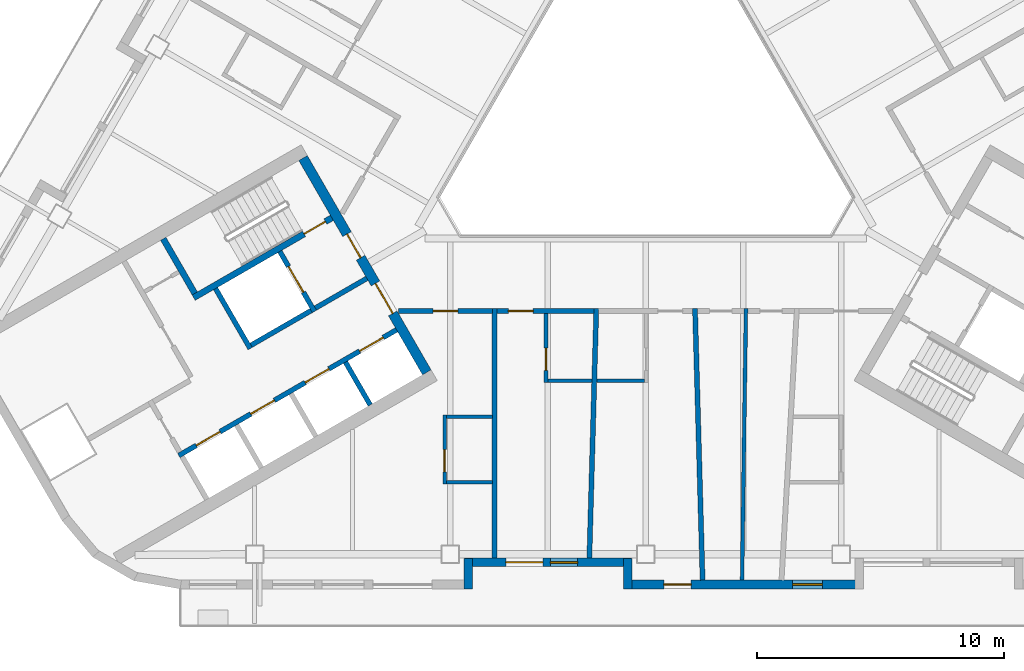
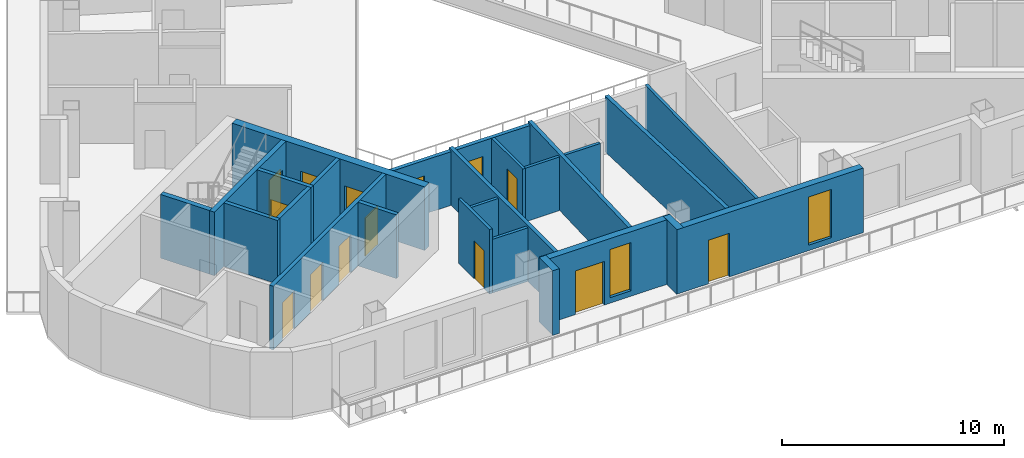
# One storey, part 3 of 14: 25 walls, 14 doors, 2 windows, 16 openings.
"""IFC4 building model written with IfcOpenShell, lengths in metres."""

from ifc_helpers import new_model, si_unit, direction, frame, frame_2d, origin, place, context, subcontext, project, spatial, rectangle, extrude, material, layer, layer_set, type_object, element, fill, save


model = new_model("IFC4")

# Units and contexts
model_context = context("Model", 3, precision=1e-05, world=origin(), true_north=direction((0.0, 1.0)))
body_context = subcontext(model_context, "Body", "Model", "MODEL_VIEW")
ifc_project = project(units=[si_unit("LENGTHUNIT", "METRE"), si_unit("AREAUNIT", "SQUARE_METRE"), si_unit("VOLUMEUNIT", "CUBIC_METRE"), si_unit("PLANEANGLEUNIT", "RADIAN"), si_unit("MASSUNIT", "GRAM", prefix="KILO")], contexts=[model_context])

# Site, building, storey
site_placement = place(None, origin())
site = spatial("IfcSite", under=ifc_project, at=site_placement, CompositionType="ELEMENT")
building_placement = place(site_placement, origin())
building = spatial("IfcBuilding", under=site, at=building_placement, Name="Apuvela Tower Hotel", CompositionType="ELEMENT")
storey_placement = place(building_placement, frame((0.0, 0.0, 220.60009765625)))
storey = spatial("IfcBuildingStorey", under=building, at=storey_placement, Name="L54", CompositionType="ELEMENT", Elevation=220.60009765625)

# Wall, openings, doors
ifc_material_1 = material(Name="Concrete C50/60", Category="concrete")
ifc_layer_1 = layer(ifc_material_1, 0.39990234375)
ifc_layer_set_1 = layer_set([ifc_layer_1], Name="COR-WALL-CORE-400")
wall_type_1 = type_object("IfcWallType", Name="COR-WALL-CORE-400", PredefinedType="SHEAR", material=ifc_layer_set_1)
wall_1_placement = place(storey_placement, frame((-13.844970703125, -2.219970703125, 0.0), z_axis=(0.0, 0.0, 1.0), x_axis=(0.500004234368, -0.866022959057, 0.0)))
wall_1 = element("IfcWall", 1, at=wall_1_placement, inside=storey, type_object=wall_type_1, Name="Core wall SW", PredefinedType="SHEAR", context=body_context, shape_type="SweptSolid", body=[
    extrude(rectangle(XDim=10.0, YDim=0.39990234375, at=frame_2d((5.0, 0.0))), origin(), (0.0, 0.0, 1.0), 3.5),
])
opening_1_placement = place(wall_1_placement, frame((3.550048828125, 0.0, 0.0)))
opening_1 = element("IfcOpeningElement", 2, at=opening_1_placement, cuts=wall_1, Name="Opening W-FD", PredefinedType="OPENING", context=body_context, shape_type="SweptSolid", body=[
    extrude(rectangle(XDim=1.10009765625, YDim=2.10009765625, at=frame_2d((0.550048828125, 1.050048828125))), frame((0.0, 0.2099609375, 0.0), z_axis=(0.0, -1.0, 0.0), x_axis=(1.0, 0.0, 0.0)), (0.0, 0.0, 1.0), 0.419921875),
])
opening_2_placement = place(wall_1_placement, frame((5.85009765625, 0.0, 0.0)))
opening_2 = element("IfcOpeningElement", 3, at=opening_2_placement, cuts=wall_1, Name="Opening W-GD", PredefinedType="OPENING", context=body_context, shape_type="SweptSolid", body=[
    extrude(rectangle(XDim=1.39990234375, YDim=2.10009765625, at=frame_2d((0.699951171875, 1.050048828125))), frame((0.0, 0.2099609375, 0.0), z_axis=(0.0, -1.0, 0.0), x_axis=(1.0, 0.0, 0.0)), (0.0, 0.0, 1.0), 0.419921875),
])
ifc_material_2 = material(Name="Steel fire door, powder coated", Category="steel")
door_type_1 = type_object("IfcDoorType", Name="COR-FD-1100", OperationType="NOTDEFINED", PredefinedType="DOOR", material=ifc_material_2)
door_1_placement = place(opening_1_placement, frame((1.10009765625, 0.0, 0.0), z_axis=(0.0, 0.0, 1.0), x_axis=(-1.0, 0.0, 0.0)))
door_1 = element("IfcDoor", 4, at=door_1_placement, inside=storey, type_object=door_type_1, Name="Firefighting lobby door W-FD", OperationType="SINGLE_SWING_LEFT", OverallHeight=2.10009765625, OverallWidth=1.10009765625, PredefinedType="DOOR", context=body_context, shape_type="SweptSolid", body=[
    extrude(rectangle(XDim=1.10009765625, YDim=2.10009765625, at=frame_2d((0.550048828125, 1.050048828125))), frame((0.0, 0.02490234375, 0.0), z_axis=(0.0, -1.0, 0.0), x_axis=(1.0, 0.0, 0.0)), (0.0, 0.0, 1.0), 0.050048828125),
])
fill(opening_1, door_1)
ifc_material_3 = material(Name="Glazed steel fire door", Category="steel")
door_type_2 = type_object("IfcDoorType", Name="COR-GD-1400", OperationType="DOUBLE_DOOR_SINGLE_SWING", PredefinedType="DOOR", material=ifc_material_3)
door_2_placement = place(opening_2_placement, frame((1.39990234375, 0.0, 0.0), z_axis=(0.0, 0.0, 1.0), x_axis=(-1.0, 0.0, 0.0)))
door_2 = element("IfcDoor", 5, at=door_2_placement, inside=storey, type_object=door_type_2, Name="Lift lobby door W-GD", OperationType="DOUBLE_DOOR_SINGLE_SWING", OverallHeight=2.10009765625, OverallWidth=1.39990234375, PredefinedType="DOOR", context=body_context, shape_type="SweptSolid", body=[
    extrude(rectangle(XDim=1.39990234375, YDim=2.10009765625, at=frame_2d((0.699951171875, 1.050048828125))), frame((0.0, 0.02490234375, 0.0), z_axis=(0.0, -1.0, 0.0), x_axis=(1.0, 0.0, 0.0)), (0.0, 0.0, 1.0), 0.050048828125),
])
fill(opening_2, door_2)

# Wall
ifc_layer_2 = layer(ifc_material_1, 0.199951171875)
ifc_layer_set_2 = layer_set([ifc_layer_2], Name="COR-WALL-SHAFT-200")
wall_type_2 = type_object("IfcWallType", Name="COR-WALL-SHAFT-200", PredefinedType="SHEAR", material=ifc_layer_set_2)
wall_2_placement = place(storey_placement, frame((-17.38134765625, -7.49462890625, 0.0), z_axis=(0.0, 0.0, 1.0), x_axis=(0.500011755427, -0.866018616679, 0.0)))
element("IfcWall", 6, at=wall_2_placement, inside=storey, type_object=wall_type_2, Name="Shaft wall SW", PredefinedType="SHEAR", context=body_context, shape_type="SweptSolid", body=[
    extrude(rectangle(XDim=2.80029296875, YDim=0.199951171875, at=frame_2d((1.400146484375, 0.0))), origin(), (0.0, 0.0, 1.0), 3.5),
])

# Wall, opening, door
wall_3_placement = place(storey_placement, frame((-14.783203125, -5.99462890625, 0.0), z_axis=(0.0, 0.0, 1.0), x_axis=(0.49994636267, -0.866056369097, 0.0)))
wall_3 = element("IfcWall", 7, at=wall_3_placement, inside=storey, type_object=wall_type_2, Name="Shaft wall SW", PredefinedType="SHEAR", context=body_context, shape_type="SweptSolid", body=[
    extrude(rectangle(XDim=2.800048828125, YDim=0.199951171875, at=frame_2d((1.39990234375, 0.0))), origin(), (0.0, 0.0, 1.0), 3.5),
])
opening_3_placement = place(wall_3_placement, frame((0.699951171875, 0.0, 0.0)))
opening_3 = element("IfcOpeningElement", 8, at=opening_3_placement, cuts=wall_3, Name="Opening W-LD-FS2", PredefinedType="OPENING", context=body_context, shape_type="SweptSolid", body=[
    extrude(rectangle(XDim=1.199951171875, YDim=2.10009765625, at=frame_2d((0.60009765625, 1.050048828125))), frame((0.0, 0.10986328125, 0.0), z_axis=(0.0, -1.0, 0.0), x_axis=(1.0, 0.0, 0.0)), (0.0, 0.0, 1.0), 0.219970703125),
])
ifc_material_4 = material(Name="Stainless steel lift landing door", Category="steel")
door_type_3 = type_object("IfcDoorType", Name="COR-LD-1200", OperationType="DOUBLE_DOOR_SLIDING", PredefinedType="DOOR", material=ifc_material_4)
door_3_placement = place(opening_3_placement, origin())
door_3 = element("IfcDoor", 9, at=door_3_placement, inside=storey, type_object=door_type_3, Name="Lift landing door W-LD-FS2", OperationType="DOUBLE_DOOR_SLIDING", OverallHeight=2.10009765625, OverallWidth=1.199951171875, PredefinedType="DOOR", context=body_context, shape_type="SweptSolid", body=[
    extrude(rectangle(XDim=1.199951171875, YDim=2.10009765625, at=frame_2d((0.60009765625, 1.050048828125))), frame((0.0, 0.02490234375, 0.0), z_axis=(0.0, -1.0, 0.0), x_axis=(1.0, 0.0, 0.0)), (0.0, 0.0, 1.0), 0.050048828125),
])
fill(opening_3, door_3)

# Walls
wall_4_placement = place(storey_placement, frame((-13.519775390625, -8.383056640625, 0.0), z_axis=(0.0, 0.0, 1.0), x_axis=(-0.866034573852, -0.49998411664, 0.0)))
element("IfcWall", 10, at=wall_4_placement, inside=storey, type_object=wall_type_2, Name="Shaft wall SW", PredefinedType="SHEAR", context=body_context, shape_type="SweptSolid", body=[
    extrude(rectangle(XDim=2.7998046875, YDim=0.199951171875, at=frame_2d((1.39990234375, 0.0))), origin(), (0.0, 0.0, 1.0), 3.5),
])
wall_5_placement = place(storey_placement, frame((-11.26806640625, -7.0830078125, 0.0), z_axis=(0.0, 0.0, 1.0), x_axis=(-0.866050077142, -0.499957262057, 0.0)))
element("IfcWall", 11, at=wall_5_placement, inside=storey, type_object=wall_type_2, Name="Shaft wall SW", PredefinedType="SHEAR", context=body_context, shape_type="SweptSolid", body=[
    extrude(rectangle(XDim=2.400146484375, YDim=0.199951171875, at=frame_2d((1.2001953125, 0.0))), origin(), (0.0, 0.0, 1.0), 3.5),
])

# Wall, openings, doors
wall_6_placement = place(storey_placement, frame((-10.068115234375, -9.16162109375, 0.0), z_axis=(0.0, 0.0, 1.0), x_axis=(-0.866032725843, -0.499987317609, 0.0)))
wall_6 = element("IfcWall", 12, at=wall_6_placement, inside=storey, type_object=wall_type_2, Name="Shaft wall SW", PredefinedType="SHEAR", context=body_context, shape_type="SweptSolid", body=[
    extrude(rectangle(XDim=10.159912109375, YDim=0.199951171875, at=frame_2d((5.080078125, 0.0))), origin(), (0.0, 0.0, 1.0), 3.5),
])
opening_4_placement = place(wall_6_placement, frame((0.6201171875, 0.0, 0.0)))
opening_4 = element("IfcOpeningElement", 13, at=opening_4_placement, cuts=wall_6, Name="Opening W-LD-MR1", PredefinedType="OPENING", context=body_context, shape_type="SweptSolid", body=[
    extrude(rectangle(XDim=1.10009765625, YDim=2.10009765625, at=frame_2d((0.550048828125, 1.050048828125))), frame((0.0, 0.10986328125, 0.0), z_axis=(0.0, -1.0, 0.0), x_axis=(1.0, 0.0, 0.0)), (0.0, 0.0, 1.0), 0.219970703125),
])
opening_5_placement = place(wall_6_placement, frame((3.159912109375, 0.0, 0.0)))
opening_5 = element("IfcOpeningElement", 14, at=opening_5_placement, cuts=wall_6, Name="Opening W-LD-MR2", PredefinedType="OPENING", context=body_context, shape_type="SweptSolid", body=[
    extrude(rectangle(XDim=1.10009765625, YDim=2.10009765625, at=frame_2d((0.550048828125, 1.050048828125))), frame((0.0, 0.10986328125, 0.0), z_axis=(0.0, -1.0, 0.0), x_axis=(1.0, 0.0, 0.0)), (0.0, 0.0, 1.0), 0.219970703125),
])
opening_6_placement = place(wall_6_placement, frame((5.699951171875, 0.0, 0.0)))
opening_6 = element("IfcOpeningElement", 15, at=opening_6_placement, cuts=wall_6, Name="Opening W-LD-MR3", PredefinedType="OPENING", context=body_context, shape_type="SweptSolid", body=[
    extrude(rectangle(XDim=1.10009765625, YDim=2.10009765625, at=frame_2d((0.550048828125, 1.050048828125))), frame((0.0, 0.10986328125, 0.0), z_axis=(0.0, -1.0, 0.0), x_axis=(1.0, 0.0, 0.0)), (0.0, 0.0, 1.0), 0.219970703125),
])
opening_7_placement = place(wall_6_placement, frame((8.239990234375, 0.0, 0.0)))
opening_7 = element("IfcOpeningElement", 16, at=opening_7_placement, cuts=wall_6, Name="Opening W-LD-MR4", PredefinedType="OPENING", context=body_context, shape_type="SweptSolid", body=[
    extrude(rectangle(XDim=1.10009765625, YDim=2.10009765625, at=frame_2d((0.550048828125, 1.050048828125))), frame((0.0, 0.10986328125, 0.0), z_axis=(0.0, -1.0, 0.0), x_axis=(1.0, 0.0, 0.0)), (0.0, 0.0, 1.0), 0.219970703125),
])
door_type_4 = type_object("IfcDoorType", Name="COR-LD-1100", OperationType="DOUBLE_DOOR_SLIDING", PredefinedType="DOOR", material=ifc_material_4)
door_4_placement = place(opening_4_placement, origin())
door_4 = element("IfcDoor", 17, at=door_4_placement, inside=storey, type_object=door_type_4, Name="Lift landing door W-LD-MR1", OperationType="DOUBLE_DOOR_SLIDING", OverallHeight=2.10009765625, OverallWidth=1.10009765625, PredefinedType="DOOR", context=body_context, shape_type="SweptSolid", body=[
    extrude(rectangle(XDim=1.10009765625, YDim=2.10009765625, at=frame_2d((0.550048828125, 1.050048828125))), frame((0.0, 0.02490234375, 0.0), z_axis=(0.0, -1.0, 0.0), x_axis=(1.0, 0.0, 0.0)), (0.0, 0.0, 1.0), 0.050048828125),
])
fill(opening_4, door_4)
door_5_placement = place(opening_5_placement, origin())
door_5 = element("IfcDoor", 18, at=door_5_placement, inside=storey, type_object=door_type_4, Name="Lift landing door W-LD-MR2", OperationType="DOUBLE_DOOR_SLIDING", OverallHeight=2.10009765625, OverallWidth=1.10009765625, PredefinedType="DOOR", context=body_context, shape_type="SweptSolid", body=[
    extrude(rectangle(XDim=1.10009765625, YDim=2.10009765625, at=frame_2d((0.550048828125, 1.050048828125))), frame((0.0, 0.02490234375, 0.0), z_axis=(0.0, -1.0, 0.0), x_axis=(1.0, 0.0, 0.0)), (0.0, 0.0, 1.0), 0.050048828125),
])
fill(opening_5, door_5)
door_6_placement = place(opening_6_placement, origin())
door_6 = element("IfcDoor", 19, at=door_6_placement, inside=storey, type_object=door_type_4, Name="Lift landing door W-LD-MR3", OperationType="DOUBLE_DOOR_SLIDING", OverallHeight=2.10009765625, OverallWidth=1.10009765625, PredefinedType="DOOR", context=body_context, shape_type="SweptSolid", body=[
    extrude(rectangle(XDim=1.10009765625, YDim=2.10009765625, at=frame_2d((0.550048828125, 1.050048828125))), frame((0.0, 0.02490234375, 0.0), z_axis=(0.0, -1.0, 0.0), x_axis=(1.0, 0.0, 0.0)), (0.0, 0.0, 1.0), 0.050048828125),
])
fill(opening_6, door_6)
door_7_placement = place(opening_7_placement, origin())
door_7 = element("IfcDoor", 20, at=door_7_placement, inside=storey, type_object=door_type_4, Name="Lift landing door W-LD-MR4", OperationType="DOUBLE_DOOR_SLIDING", OverallHeight=2.10009765625, OverallWidth=1.10009765625, PredefinedType="DOOR", context=body_context, shape_type="SweptSolid", body=[
    extrude(rectangle(XDim=1.10009765625, YDim=2.10009765625, at=frame_2d((0.550048828125, 1.050048828125))), frame((0.0, 0.02490234375, 0.0), z_axis=(0.0, -1.0, 0.0), x_axis=(1.0, 0.0, 0.0)), (0.0, 0.0, 1.0), 0.050048828125),
])
fill(opening_7, door_7)

# Wall
wall_7_placement = place(storey_placement, frame((-12.131103515625, -10.468017578125, 0.0), z_axis=(0.0, 0.0, 1.0), x_axis=(0.499972520799, -0.866041268327, 0.0)))
element("IfcWall", 21, at=wall_7_placement, inside=storey, type_object=wall_type_2, Name="Shaft wall SW", PredefinedType="SHEAR", context=body_context, shape_type="SweptSolid", body=[
    extrude(rectangle(XDim=2.0, YDim=0.199951171875, at=frame_2d((1.0, 0.0))), origin(), (0.0, 0.0, 1.0), 3.5),
])

# Wall, opening, door
ifc_layer_3 = layer(ifc_material_1, 0.25)
ifc_layer_set_3 = layer_set([ifc_layer_3], Name="COR-WALL-STAIR-250")
wall_type_3 = type_object("IfcWallType", Name="COR-WALL-STAIR-250", PredefinedType="SHEAR", material=ifc_layer_set_3)
wall_8_placement = place(storey_placement, frame((-12.6806640625, -4.636474609375, 0.0), z_axis=(0.0, 0.0, 1.0), x_axis=(-0.866021702275, -0.500006411147, 0.0)))
wall_8 = element("IfcWall", 22, at=wall_8_placement, inside=storey, type_object=wall_type_3, Name="Stair wall SW", PredefinedType="SHEAR", context=body_context, shape_type="SweptSolid", body=[
    extrude(rectangle(XDim=6.4501953125, YDim=0.25, at=frame_2d((3.22509765625, 0.0))), origin(), (0.0, 0.0, 1.0), 3.5),
])
opening_8_placement = place(wall_8_placement, frame((0.300048828125, 0.0, 0.0)))
opening_8 = element("IfcOpeningElement", 23, at=opening_8_placement, cuts=wall_8, Name="Opening W-SD", PredefinedType="OPENING", context=body_context, shape_type="SweptSolid", body=[
    extrude(rectangle(XDim=1.0, YDim=2.10009765625, at=frame_2d((0.5, 1.050048828125))), frame((0.0, 0.135009765625, 0.0), z_axis=(0.0, -1.0, 0.0), x_axis=(1.0, 0.0, 0.0)), (0.0, 0.0, 1.0), 0.27001953125),
])
door_type_5 = type_object("IfcDoorType", Name="COR-SD-1000", OperationType="NOTDEFINED", PredefinedType="DOOR", material=ifc_material_2)
door_8_placement = place(opening_8_placement, frame((1.0, 0.0, 0.0), z_axis=(0.0, 0.0, 1.0), x_axis=(-1.0, 0.0, 0.0)))
door_8 = element("IfcDoor", 24, at=door_8_placement, inside=storey, type_object=door_type_5, Name="Stair door W-SD", OperationType="SINGLE_SWING_LEFT", OverallHeight=2.10009765625, OverallWidth=1.0, PredefinedType="DOOR", context=body_context, shape_type="SweptSolid", body=[
    extrude(rectangle(XDim=1.0, YDim=2.10009765625, at=frame_2d((0.5, 1.050048828125))), frame((0.0, 0.02490234375, 0.0), z_axis=(0.0, -1.0, 0.0), x_axis=(1.0, 0.0, 0.0)), (0.0, 0.0, 1.0), 0.050048828125),
])
fill(opening_8, door_8)

# Walls
wall_9_placement = place(storey_placement, frame((-19.49560546875, -5.482421875, 0.0), z_axis=(0.0, 0.0, 1.0), x_axis=(0.499990435942, -0.866030925526, 0.0)))
element("IfcWall", 25, at=wall_9_placement, inside=storey, type_object=wall_type_3, Name="Stair wall SW", PredefinedType="SHEAR", context=body_context, shape_type="SweptSolid", body=[
    extrude(rectangle(XDim=2.5498046875, YDim=0.25, at=frame_2d((1.27490234375, 0.0))), origin(), (0.0, 0.0, 1.0), 3.5),
])
ifc_material_5 = material(Name="Concrete C40/50, dark pigmented precast panel", Category="concrete")
ifc_layer_4 = layer(ifc_material_5, 0.35009765625)
ifc_layer_set_4 = layer_set([ifc_layer_4], Name="ENV-WALL-350")
wall_type_4 = type_object("IfcWallType", Name="ENV-WALL-350", PredefinedType="SOLIDWALL", material=ifc_layer_set_4)
wall_10_placement = place(storey_placement, frame((-7.175048828125, -19.6298828125, 0.0), z_axis=(0.0, 0.0, 1.0), x_axis=(0.0, 1.0, 0.0)))
element("IfcWall", 26, at=wall_10_placement, inside=storey, type_object=wall_type_4, Name="External wall L54-18", PredefinedType="SOLIDWALL", context=body_context, shape_type="SweptSolid", body=[
    extrude(rectangle(XDim=1.219970703125, YDim=0.35009765625, at=frame_2d((0.60986328125, 0.0))), origin(), (0.0, 0.0, 1.0), 3.5498046875),
])

# Wall, openings, door, window
wall_11_placement = place(storey_placement, frame((-7.320068359375, -18.554931640625, 0.0), z_axis=(0.0, 0.0, 1.0), x_axis=(1.0, 0.0, 0.0)))
wall_11 = element("IfcWall", 27, at=wall_11_placement, inside=storey, type_object=wall_type_4, Name="External wall L54-19", PredefinedType="SOLIDWALL", context=body_context, shape_type="SweptSolid", body=[
    extrude(rectangle(XDim=6.739990234375, YDim=0.35009765625, at=frame_2d((3.3701171875, 0.0))), origin(), (0.0, 0.0, 1.0), 3.5498046875),
])
opening_9_placement = place(wall_11_placement, frame((1.669921875, 0.0, 0.0)))
opening_9 = element("IfcOpeningElement", 28, at=opening_9_placement, cuts=wall_11, Name="Opening BD15", PredefinedType="OPENING", context=body_context, shape_type="SweptSolid", body=[
    extrude(rectangle(XDim=1.5, YDim=2.39990234375, at=frame_2d((0.75, 1.199951171875))), frame((0.0, 0.18505859375, 0.0), z_axis=(0.0, -1.0, 0.0), x_axis=(1.0, 0.0, 0.0)), (0.0, 0.0, 1.0), 0.3701171875),
])
opening_10_placement = place(wall_11_placement, frame((3.469970703125, 0.0, 0.300048828125)))
opening_10 = element("IfcOpeningElement", 29, at=opening_10_placement, cuts=wall_11, Name="Opening WN11", PredefinedType="OPENING", context=body_context, shape_type="SweptSolid", body=[
    extrude(rectangle(XDim=1.10009765625, YDim=2.64990234375, at=frame_2d((0.550048828125, 1.324951171875))), frame((0.0, 0.18505859375, 0.0), z_axis=(0.0, -1.0, 0.0), x_axis=(1.0, 0.0, 0.0)), (0.0, 0.0, 1.0), 0.3701171875),
])
ifc_material_6 = material(Name="Aluminium 6063-T6, dark bronze anodised frame with dark tinted laminated glass", Category="aluminium")
door_type_6 = type_object("IfcDoorType", Name="ENV-DOOR-BALCONY-1500x2400", OperationType="SLIDING_TO_LEFT", PredefinedType="DOOR", material=ifc_material_6)
door_9_placement = place(opening_9_placement, frame((1.5, 0.0, 0.0), z_axis=(0.0, 0.0, 1.0), x_axis=(-1.0, 0.0, 0.0)))
door_9 = element("IfcDoor", 30, at=door_9_placement, inside=storey, type_object=door_type_6, Name="Balcony door BD15", OperationType="SLIDING_TO_LEFT", OverallHeight=2.39990234375, OverallWidth=1.5, PredefinedType="DOOR", context=body_context, shape_type="SweptSolid", body=[
    extrude(rectangle(XDim=1.5, YDim=2.39990234375, at=frame_2d((0.75, 1.199951171875))), frame((0.0, 0.02490234375, 0.0), z_axis=(0.0, -1.0, 0.0), x_axis=(1.0, 0.0, 0.0)), (0.0, 0.0, 1.0), 0.050048828125),
])
fill(opening_9, door_9)
ifc_material_7 = material(Name="Glass, dark tinted laminated insulated glazing unit", Category="glass")
window_type_1 = type_object("IfcWindowType", Name="ENV-WIN-1100x2650", PartitioningType="SINGLE_PANEL", PredefinedType="WINDOW", material=ifc_material_7)
window_1_placement = place(opening_10_placement, origin())
window_1 = element("IfcWindow", 31, at=window_1_placement, inside=storey, type_object=window_type_1, Name="Window WN11", OverallHeight=2.64990234375, OverallWidth=1.10009765625, PartitioningType="SINGLE_PANEL", PredefinedType="WINDOW", context=body_context, shape_type="SweptSolid", body=[
    extrude(rectangle(XDim=1.10009765625, YDim=2.64990234375, at=frame_2d((0.550048828125, 1.324951171875))), frame((0.0, 0.030029296875, 0.0), z_axis=(0.0, -1.0, 0.0), x_axis=(1.0, 0.0, 0.0)), (0.0, 0.0, 1.0), 0.06005859375),
])
fill(opening_10, window_1)

# Wall
wall_12_placement = place(storey_placement, frame((-0.72509765625, -18.409912109375, 0.0), z_axis=(0.0, 0.0, 1.0), x_axis=(0.0, -1.0, 0.0)))
element("IfcWall", 32, at=wall_12_placement, inside=storey, type_object=wall_type_4, Name="External wall L54-20", PredefinedType="SOLIDWALL", context=body_context, shape_type="SweptSolid", body=[
    extrude(rectangle(XDim=1.219970703125, YDim=0.35009765625, at=frame_2d((0.60986328125, 0.0))), origin(), (0.0, 0.0, 1.0), 3.5498046875),
])

# Wall, openings, door, window
wall_13_placement = place(storey_placement, frame((-0.89990234375, -19.455078125, 0.0), z_axis=(0.0, 0.0, 1.0), x_axis=(1.0, 0.0, 0.0)))
wall_13 = element("IfcWall", 33, at=wall_13_placement, inside=storey, type_object=wall_type_4, Name="External wall L54-21", PredefinedType="SOLIDWALL", context=body_context, shape_type="SweptSolid", body=[
    extrude(rectangle(XDim=9.699951171875, YDim=0.35009765625, at=frame_2d((4.85009765625, 0.0))), origin(), (0.0, 0.0, 1.0), 3.5498046875),
])
opening_11_placement = place(wall_13_placement, frame((1.6376953125, 0.0, 0.0)))
opening_11 = element("IfcOpeningElement", 34, at=opening_11_placement, cuts=wall_13, Name="Opening BD11", PredefinedType="OPENING", context=body_context, shape_type="SweptSolid", body=[
    extrude(rectangle(XDim=1.10009765625, YDim=2.39990234375, at=frame_2d((0.550048828125, 1.199951171875))), frame((0.0, 0.18505859375, 0.0), z_axis=(0.0, -1.0, 0.0), x_axis=(1.0, 0.0, 0.0)), (0.0, 0.0, 1.0), 0.3701171875),
])
opening_12_placement = place(wall_13_placement, frame((6.83984375, 0.0, 0.300048828125)))
opening_12 = element("IfcOpeningElement", 35, at=opening_12_placement, cuts=wall_13, Name="Opening WN12", PredefinedType="OPENING", context=body_context, shape_type="SweptSolid", body=[
    extrude(rectangle(XDim=1.199951171875, YDim=2.64990234375, at=frame_2d((0.60009765625, 1.324951171875))), frame((0.0, 0.18505859375, 0.0), z_axis=(0.0, -1.0, 0.0), x_axis=(1.0, 0.0, 0.0)), (0.0, 0.0, 1.0), 0.3701171875),
])
door_type_7 = type_object("IfcDoorType", Name="ENV-DOOR-BALCONY-1100x2400", OperationType="SLIDING_TO_LEFT", PredefinedType="DOOR", material=ifc_material_6)
door_10_placement = place(opening_11_placement, frame((1.10009765625, 0.0, 0.0), z_axis=(0.0, 0.0, 1.0), x_axis=(-1.0, 0.0, 0.0)))
door_10 = element("IfcDoor", 36, at=door_10_placement, inside=storey, type_object=door_type_7, Name="Balcony door BD11", OperationType="SLIDING_TO_LEFT", OverallHeight=2.39990234375, OverallWidth=1.10009765625, PredefinedType="DOOR", context=body_context, shape_type="SweptSolid", body=[
    extrude(rectangle(XDim=1.10009765625, YDim=2.39990234375, at=frame_2d((0.550048828125, 1.199951171875))), frame((0.0, 0.02490234375, 0.0), z_axis=(0.0, -1.0, 0.0), x_axis=(1.0, 0.0, 0.0)), (0.0, 0.0, 1.0), 0.050048828125),
])
fill(opening_11, door_10)
window_type_2 = type_object("IfcWindowType", Name="ENV-WIN-1200x2650", PartitioningType="SINGLE_PANEL", PredefinedType="WINDOW", material=ifc_material_7)
window_2_placement = place(opening_12_placement, origin())
window_2 = element("IfcWindow", 37, at=window_2_placement, inside=storey, type_object=window_type_2, Name="Window WN12", OverallHeight=2.64990234375, OverallWidth=1.199951171875, PartitioningType="SINGLE_PANEL", PredefinedType="WINDOW", context=body_context, shape_type="SweptSolid", body=[
    extrude(rectangle(XDim=1.199951171875, YDim=2.64990234375, at=frame_2d((0.60009765625, 1.324951171875))), frame((0.0, 0.030029296875, 0.0), z_axis=(0.0, -1.0, 0.0), x_axis=(1.0, 0.0, 0.0)), (0.0, 0.0, 1.0), 0.06005859375),
])
fill(opening_12, window_2)

# Walls
ifc_material_8 = material(Name="Gypsum board partition on twin steel stud", Category="steel")
ifc_layer_5 = layer(ifc_material_8, 0.199951171875)
ifc_layer_set_5 = layer_set([ifc_layer_5], Name="GST-PW1")
wall_type_5 = type_object("IfcWallType", Name="GST-PW1", PredefinedType="PARTITIONING", material=ifc_layer_set_5)
wall_14_placement = place(storey_placement, frame((-6.10009765625, -18.3798828125, 0.0), z_axis=(0.0, 0.0, 1.0), x_axis=(0.0, 1.0, 0.0)))
element("IfcWall", 38, at=wall_14_placement, inside=storey, type_object=wall_type_5, Name="L54 partition 01", PredefinedType="PARTITIONING", context=body_context, shape_type="SweptSolid", body=[
    extrude(rectangle(XDim=10.079833984375, YDim=0.199951171875, at=frame_2d((5.0400390625, 0.0))), origin(), (0.0, 0.0, 1.0), 3.059814453125),
])
wall_15_placement = place(storey_placement, frame((-2.27490234375, -18.3798828125, 0.0), z_axis=(0.0, 0.0, 1.0), x_axis=(0.027818812611, 0.999612981941, 0.0)))
element("IfcWall", 39, at=wall_15_placement, inside=storey, type_object=wall_type_5, Name="L54 partition 02", PredefinedType="PARTITIONING", context=body_context, shape_type="SweptSolid", body=[
    extrude(rectangle(XDim=10.083740234375, YDim=0.199951171875, at=frame_2d((5.0419921875, 0.0))), origin(), (0.0, 0.0, 1.0), 3.059814453125),
])
wall_16_placement = place(storey_placement, frame((2.300048828125, -19.280029296875, 0.0), z_axis=(0.0, 0.0, 1.0), x_axis=(-0.027827525898, 0.999612739416, 0.0)))
element("IfcWall", 40, at=wall_16_placement, inside=storey, type_object=wall_type_5, Name="L54 partition 03", PredefinedType="PARTITIONING", context=body_context, shape_type="SweptSolid", body=[
    extrude(rectangle(XDim=10.984130859375, YDim=0.199951171875, at=frame_2d((5.4921875, 0.0))), origin(), (0.0, 0.0, 1.0), 3.059814453125),
])

# Wall, opening, door
ifc_material_9 = material(Name="Gypsum board corridor wall on twin steel stud, acoustic", Category="steel")
ifc_layer_6 = layer(ifc_material_9, 0.199951171875)
ifc_layer_set_6 = layer_set([ifc_layer_6], Name="GST-PW2")
wall_type_6 = type_object("IfcWallType", Name="GST-PW2", PredefinedType="PARTITIONING", material=ifc_layer_set_6)
wall_17_placement = place(storey_placement, frame((-6.199951171875, -8.39990234375, 0.0), z_axis=(0.0, 0.0, 1.0), x_axis=(-1.0, 0.0, 0.0)))
wall_17 = element("IfcWall", 41, at=wall_17_placement, inside=storey, type_object=wall_type_6, Name="L54 partition 10", PredefinedType="PARTITIONING", context=body_context, shape_type="SweptSolid", body=[
    extrude(rectangle(XDim=3.788330078125, YDim=0.199951171875, at=frame_2d((1.89404296875, 0.0))), origin(), (0.0, 0.0, 1.0), 2.949951171875),
])
opening_13_placement = place(wall_17_placement, frame((1.39404296875, 0.0, 0.0)))
opening_13 = element("IfcOpeningElement", 42, at=opening_13_placement, cuts=wall_17, Name="Opening GD21-02", PredefinedType="OPENING", context=body_context, shape_type="SweptSolid", body=[
    extrude(rectangle(XDim=1.0, YDim=2.10009765625, at=frame_2d((0.5, 1.050048828125))), frame((0.0, 0.10986328125, 0.0), z_axis=(0.0, -1.0, 0.0), x_axis=(1.0, 0.0, 0.0)), (0.0, 0.0, 1.0), 0.219970703125),
])
ifc_material_10 = material(Name="Timber door leaf in steel frame", Category="steel")
door_type_8 = type_object("IfcDoorType", Name="GST-D1", OperationType="NOTDEFINED", PredefinedType="DOOR", material=ifc_material_10)
door_11_placement = place(opening_13_placement, origin())
door_11 = element("IfcDoor", 43, at=door_11_placement, inside=storey, type_object=door_type_8, Name="Door L54-02", OperationType="SINGLE_SWING_LEFT", OverallHeight=2.10009765625, OverallWidth=1.0, PredefinedType="DOOR", context=body_context, shape_type="SweptSolid", body=[
    extrude(rectangle(XDim=1.0, YDim=2.10009765625, at=frame_2d((0.5, 1.050048828125))), frame((0.0, 0.02490234375, 0.0), z_axis=(0.0, -1.0, 0.0), x_axis=(1.0, 0.0, 0.0)), (0.0, 0.0, 1.0), 0.050048828125),
])
fill(opening_13, door_11)

wall_18_placement = place(storey_placement, frame((-2.097412109375, -8.39990234375, 0.0), z_axis=(0.0, 0.0, 1.0), x_axis=(-1.0, 0.0, 0.0)))
wall_18 = element("IfcWall", 44, at=wall_18_placement, inside=storey, type_object=wall_type_6, Name="L54 partition 14", PredefinedType="PARTITIONING", context=body_context, shape_type="SweptSolid", body=[
    extrude(rectangle(XDim=3.902587890625, YDim=0.199951171875, at=frame_2d((1.951171875, 0.0))), origin(), (0.0, 0.0, 1.0), 2.949951171875),
])
opening_14_placement = place(wall_18_placement, frame((2.45263671875, 0.0, 0.0)))
opening_14 = element("IfcOpeningElement", 45, at=opening_14_placement, cuts=wall_18, Name="Opening GD21-04", PredefinedType="OPENING", context=body_context, shape_type="SweptSolid", body=[
    extrude(rectangle(XDim=1.0, YDim=2.10009765625, at=frame_2d((0.5, 1.050048828125))), frame((0.0, 0.10986328125, 0.0), z_axis=(0.0, -1.0, 0.0), x_axis=(1.0, 0.0, 0.0)), (0.0, 0.0, 1.0), 0.219970703125),
])
door_12_placement = place(opening_14_placement, origin())
door_12 = element("IfcDoor", 46, at=door_12_placement, inside=storey, type_object=door_type_8, Name="Door L54-04", OperationType="SINGLE_SWING_RIGHT", OverallHeight=2.10009765625, OverallWidth=1.0, PredefinedType="DOOR", context=body_context, shape_type="SweptSolid", body=[
    extrude(rectangle(XDim=1.0, YDim=2.10009765625, at=frame_2d((0.5, 1.050048828125))), frame((0.0, 0.02490234375, 0.0), z_axis=(0.0, -1.0, 0.0), x_axis=(1.0, 0.0, 0.0)), (0.0, 0.0, 1.0), 0.050048828125),
])
fill(opening_14, door_12)

ifc_material_11 = material(Name="Moisture-resistant gypsum board wet wall on steel stud", Category="steel")
ifc_layer_7 = layer(ifc_material_11, 0.14990234375)
ifc_layer_set_7 = layer_set([ifc_layer_7], Name="GST-PW3")
wall_type_7 = type_object("IfcWallType", Name="GST-PW3", PredefinedType="PARTITIONING", material=ifc_layer_set_7)
wall_19_placement = place(storey_placement, frame((-8.125, -12.60009765625, 0.0), z_axis=(0.0, 0.0, 1.0), x_axis=(0.0, -1.0, 0.0)))
wall_19 = element("IfcWall", 47, at=wall_19_placement, inside=storey, type_object=wall_type_7, Name="L54 partition 11", PredefinedType="PARTITIONING", context=body_context, shape_type="SweptSolid", body=[
    extrude(rectangle(XDim=2.7998046875, YDim=0.14990234375, at=frame_2d((1.39990234375, 0.0))), origin(), (0.0, 0.0, 1.0), 3.5498046875),
])
opening_15_placement = place(wall_19_placement, frame((1.39990234375, 0.0, 0.0)))
opening_15 = element("IfcOpeningElement", 48, at=opening_15_placement, cuts=wall_19, Name="Opening GD21-01", PredefinedType="OPENING", context=body_context, shape_type="SweptSolid", body=[
    extrude(rectangle(XDim=0.89990234375, YDim=2.10009765625, at=frame_2d((0.449951171875, 1.050048828125))), frame((0.0, 0.0849609375, 0.0), z_axis=(0.0, -1.0, 0.0), x_axis=(1.0, 0.0, 0.0)), (0.0, 0.0, 1.0), 0.169921875),
])
door_type_9 = type_object("IfcDoorType", Name="GST-D2", OperationType="NOTDEFINED", PredefinedType="DOOR", material=ifc_material_10)
door_13_placement = place(opening_15_placement, origin())
door_13 = element("IfcDoor", 49, at=door_13_placement, inside=storey, type_object=door_type_9, Name="Door L54-01", OperationType="SINGLE_SWING_RIGHT", OverallHeight=2.10009765625, OverallWidth=0.89990234375, PredefinedType="DOOR", context=body_context, shape_type="SweptSolid", body=[
    extrude(rectangle(XDim=0.89990234375, YDim=2.10009765625, at=frame_2d((0.449951171875, 1.050048828125))), frame((0.0, 0.02490234375, 0.0), z_axis=(0.0, -1.0, 0.0), x_axis=(1.0, 0.0, 0.0)), (0.0, 0.0, 1.0), 0.050048828125),
])
fill(opening_15, door_13)

# Walls
for number, where, z_axis, x_axis, name in (
    (50, (-8.050048828125, -15.324951171875, 0.0), (0.0, 0.0, 1.0), (1.0, 0.0, 0.0), "L54 partition 12"),
    (51, (-8.050048828125, -12.675048828125, 0.0), (0.0, 0.0, 1.0), (1.0, 0.0, 0.0), "L54 partition 13"),
):
    element("IfcWall", number, at=place(storey_placement, frame(where, z_axis=z_axis, x_axis=x_axis)), inside=storey, type_object=wall_type_7, Name=name, PredefinedType="PARTITIONING", context=body_context, shape_type="SweptSolid", body=[
        extrude(rectangle(XDim=1.85009765625, YDim=0.14990234375, at=frame_2d((0.925048828125, 0.0))), origin(), (0.0, 0.0, 1.0), 2.949951171875),
    ])

# Wall, opening, door
wall_20_placement = place(storey_placement, frame((-4.02490234375, -8.5, 0.0), z_axis=(0.0, 0.0, 1.0), x_axis=(0.0, -1.0, 0.0)))
wall_20 = element("IfcWall", 52, at=wall_20_placement, inside=storey, type_object=wall_type_7, Name="L54 partition 15", PredefinedType="PARTITIONING", context=body_context, shape_type="SweptSolid", body=[
    extrude(rectangle(XDim=2.800048828125, YDim=0.14990234375, at=frame_2d((1.39990234375, 0.0))), origin(), (0.0, 0.0, 1.0), 2.949951171875),
])
opening_16_placement = place(wall_20_placement, frame((1.39990234375, 0.0, 0.0)))
opening_16 = element("IfcOpeningElement", 53, at=opening_16_placement, cuts=wall_20, Name="Opening GD21-03", PredefinedType="OPENING", context=body_context, shape_type="SweptSolid", body=[
    extrude(rectangle(XDim=0.89990234375, YDim=2.10009765625, at=frame_2d((0.449951171875, 1.050048828125))), frame((0.0, 0.0849609375, 0.0), z_axis=(0.0, -1.0, 0.0), x_axis=(1.0, 0.0, 0.0)), (0.0, 0.0, 1.0), 0.169921875),
])
door_14_placement = place(opening_16_placement, origin())
door_14 = element("IfcDoor", 54, at=door_14_placement, inside=storey, type_object=door_type_9, Name="Door L54-03", OperationType="SINGLE_SWING_RIGHT", OverallHeight=2.10009765625, OverallWidth=0.89990234375, PredefinedType="DOOR", context=body_context, shape_type="SweptSolid", body=[
    extrude(rectangle(XDim=0.89990234375, YDim=2.10009765625, at=frame_2d((0.449951171875, 1.050048828125))), frame((0.0, 0.02490234375, 0.0), z_axis=(0.0, -1.0, 0.0), x_axis=(1.0, 0.0, 0.0)), (0.0, 0.0, 1.0), 0.050048828125),
])
fill(opening_16, door_14)

# Walls
wall_21_placement = place(storey_placement, frame((-3.949951171875, -11.22509765625, 0.0), z_axis=(0.0, 0.0, 1.0), x_axis=(1.0, 0.0, 0.0)))
element("IfcWall", 55, at=wall_21_placement, inside=storey, type_object=wall_type_7, Name="L54 partition 16", PredefinedType="PARTITIONING", context=body_context, shape_type="SweptSolid", body=[
    extrude(rectangle(XDim=1.774169921875, YDim=0.14990234375, at=frame_2d((0.88720703125, 0.0))), origin(), (0.0, 0.0, 1.0), 2.949951171875),
])
wall_22_placement = place(storey_placement, frame((-1.975830078125, -11.22509765625, 0.0), z_axis=(0.0, 0.0, 1.0), x_axis=(1.0, 0.0, 0.0)))
element("IfcWall", 56, at=wall_22_placement, inside=storey, type_object=wall_type_7, Name="L54 partition 19", PredefinedType="PARTITIONING", context=body_context, shape_type="SweptSolid", body=[
    extrude(rectangle(XDim=1.920166015625, YDim=0.14990234375, at=frame_2d((0.9599609375, 0.0))), origin(), (0.0, 0.0, 1.0), 2.949951171875),
])
wall_23_placement = place(storey_placement, frame((3.89501953125, -19.280029296875, 0.0), z_axis=(0.0, 0.0, 1.0), x_axis=(0.014384601302, 0.99989653627, 0.0)))
element("IfcWall", 57, at=wall_23_placement, inside=storey, type_object=wall_type_7, Name="L54 partition 20", PredefinedType="PARTITIONING", context=body_context, shape_type="SweptSolid", body=[
    extrude(rectangle(XDim=10.981201171875, YDim=0.14990234375, at=frame_2d((5.49072265625, 0.0))), origin(), (0.0, 0.0, 1.0), 2.949951171875),
])

save(model, "model.ifc")
